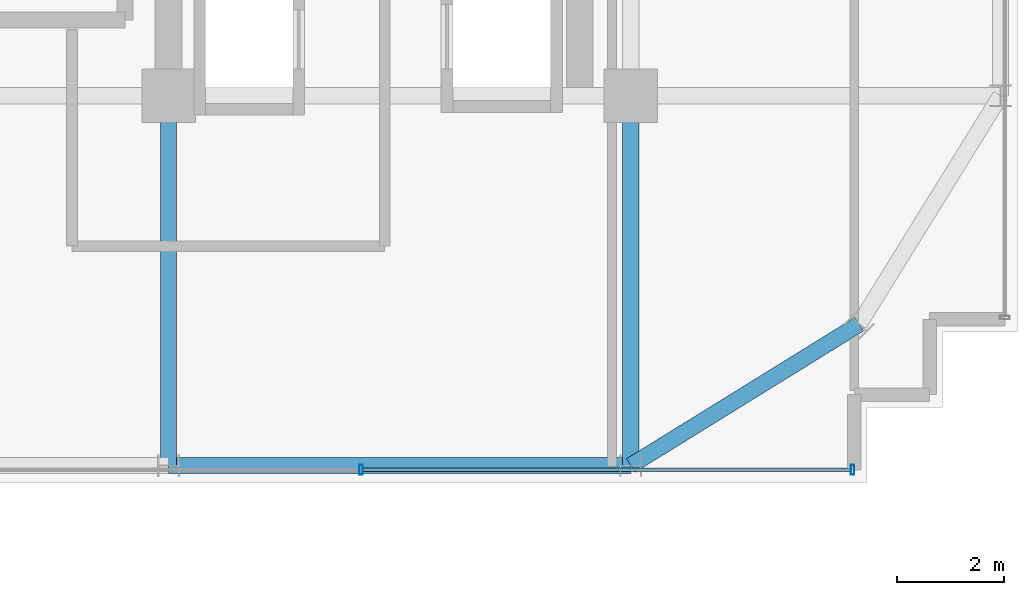
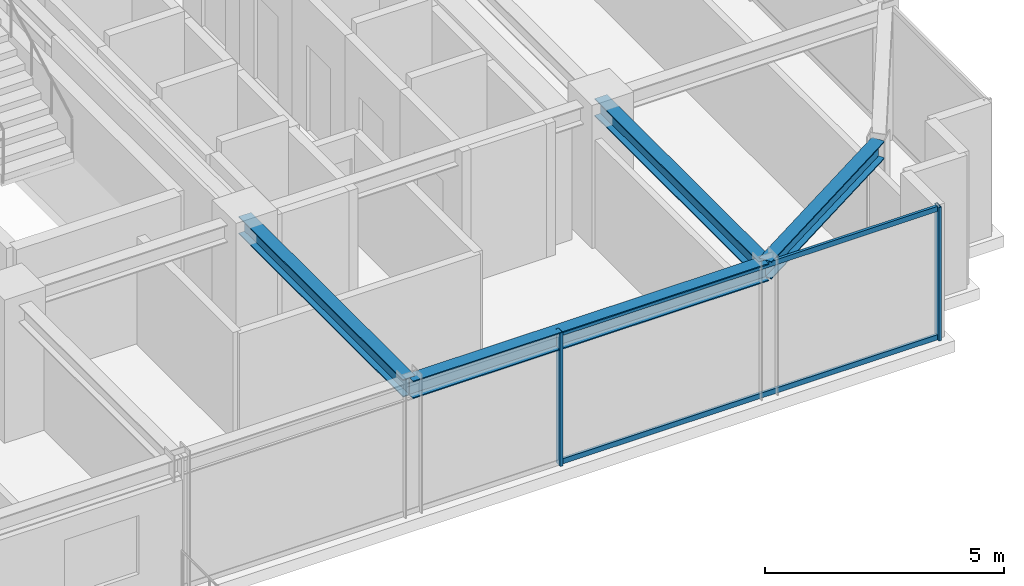
# One storey, part 12 of 36: 4 beams, 4 members, 1 element without a shape of its own.
"""IFC4 building model written with IfcOpenShell, lengths in metres."""

from ifc_helpers import new_model, si_unit, direction, frame, origin, origin_2d, place, context, subcontext, project, spatial, hollow_rectangle, i_section, extrude, source, transform, mapped, material, material_profile, profile_set, type_object, element, aggregate, save


model = new_model("IFC4")

# Units and contexts
model_context = context("Model", 3, precision=1e-05, world=origin(), true_north=direction((0.0, 1.0)))
body_context = subcontext(model_context, "Body", "Model", "MODEL_VIEW")
ifc_project = project(units=[si_unit("LENGTHUNIT", "METRE"), si_unit("AREAUNIT", "SQUARE_METRE"), si_unit("VOLUMEUNIT", "CUBIC_METRE"), si_unit("PLANEANGLEUNIT", "RADIAN"), si_unit("MASSUNIT", "GRAM", prefix="KILO")], contexts=[model_context])

# Site, building, storey
site_placement = place(None, origin())
site = spatial("IfcSite", under=ifc_project, at=site_placement, CompositionType="ELEMENT")
building_placement = place(site_placement, origin())
building = spatial("IfcBuilding", under=site, at=building_placement, Name="Nahalor Promenade Grand Hotel", CompositionType="ELEMENT")
storey_placement = place(building_placement, frame((0.0, 0.0, 253.0)))
storey = spatial("IfcBuildingStorey", under=building, at=storey_placement, Name="L65", CompositionType="ELEMENT", Elevation=253.0)

# Beams
ifc_material_1 = material(Name="Steel S355JR", Category="steel")
ifc_material_profile_1 = material_profile(ifc_material_1, i_section(OverallWidth=0.3, OverallDepth=0.45, WebThickness=0.014, FlangeThickness=0.026, at=origin_2d()), Name="HEB 450")
ifc_profile_set_1 = profile_set([ifc_material_profile_1], Name="Steel S355JR")
beam_type_1 = type_object("IfcBeamType", Name="Beam-Spandrel-HEB450", PredefinedType="SPANDREL", material=ifc_profile_set_1)
shared_shape_1 = source(origin(), body_context, "Body", "SweptSolid", [
    extrude(i_section(OverallWidth=0.3, OverallDepth=0.45, WebThickness=0.014, FlangeThickness=0.026, at=origin_2d()), origin(), (0.0, 0.0, 1.0), 8.60009765625),
])
beam_1_placement = place(storey_placement, frame((8.39990234375, -23.8798828125, 3.18505859375), z_axis=(1.0, 0.0, 0.0), x_axis=(0.0, 1.0, 0.0)))
element("IfcBeam", 1, at=beam_1_placement, inside=storey, type_object=beam_type_1, Name="BM-L65-SP-S-4", PredefinedType="SPANDREL", context=body_context, shape_type="MappedRepresentation", body=[
    mapped(shared_shape_1, transform((0.0, 0.0, 0.0), scale=1.0)),
])
shared_shape_2 = source(origin(), body_context, "Body", "SweptSolid", [
    extrude(i_section(OverallWidth=0.3, OverallDepth=0.45, WebThickness=0.014, FlangeThickness=0.026, at=origin_2d()), origin(), (0.0, 0.0, 1.0), 4.997802734375),
])
beam_2_placement = place(storey_placement, frame((17.0, -23.8798828125, 3.18505859375), z_axis=(0.850360908404, 0.526199891161, 0.0), x_axis=(-0.526199891161, 0.850360908404, 0.0)))
element("IfcBeam", 2, at=beam_2_placement, inside=storey, type_object=beam_type_1, Name="BM-L65-SPC-SE-1", PredefinedType="SPANDREL", context=body_context, shape_type="MappedRepresentation", body=[
    mapped(shared_shape_2, transform((0.0, 0.0, 0.0), scale=1.0)),
])
ifc_material_profile_2 = material_profile(ifc_material_1, i_section(OverallWidth=0.3, OverallDepth=0.45, WebThickness=0.014, FlangeThickness=0.026, at=origin_2d()), Name="HEB 450")
ifc_profile_set_2 = profile_set([ifc_material_profile_2], Name="Steel S355JR")
beam_type_2 = type_object("IfcBeamType", Name="Beam-Girder-HEB450", PredefinedType="BEAM", material=ifc_profile_set_2)
shared_shape_3 = source(origin(), body_context, "Body", "SweptSolid", [
    extrude(i_section(OverallWidth=0.3, OverallDepth=0.45, WebThickness=0.014, FlangeThickness=0.026, at=origin_2d()), origin(), (0.0, 0.0, 1.0), 6.8798828125),
])
for number, where, z_axis, x_axis, name in (
    (3, (8.39990234375, -23.8798828125, 3.18505859375), (0.0, 1.0, 0.0), (-1.0, 0.0, 0.0), "BM-L65-GY-4-0"),
    (4, (17.0, -23.8798828125, 3.18505859375), (0.0, 1.0, 0.0), (-1.0, 0.0, 0.0), "BM-L65-GY-5-0"),
):
    element("IfcBeam", number, at=place(storey_placement, frame(where, z_axis=z_axis, x_axis=x_axis)), inside=storey, type_object=beam_type_2, Name=name, PredefinedType="BEAM", context=body_context, shape_type="MappedRepresentation", body=[
        mapped(shared_shape_3, transform((0.0, 0.0, 0.0), scale=1.0)),
    ])

# Curtain wall, members
ifc_material_2 = material(Name="Anodised Bronze Aluminium EN AW-6063 T6", Category="aluminium")
curtain_wall_type = type_object("IfcCurtainWallType", Name="CW2 Typical Hotel Flush Bronze Unitised Curtain Wall", PredefinedType="USERDEFINED", material=ifc_material_2)
curtain_wall_placement = place(storey_placement, origin())
curtain_wall = element("IfcCurtainWall", 5, at=curtain_wall_placement, inside=storey, type_object=curtain_wall_type, Name="L65 Curtain Wall CW-L65-S-3", ObjectType="UNITISED_CURTAIN_WALL", PredefinedType="USERDEFINED")
ifc_material_profile_3 = material_profile(ifc_material_2, hollow_rectangle(XDim=0.065, YDim=0.13, WallThickness=0.004, at=origin_2d()), Name="CWT 65x130x4")
ifc_profile_set_3 = profile_set([ifc_material_profile_3], Name="Anodised Bronze Aluminium EN AW-6063 T6")
member_type_1 = type_object("IfcMemberType", Name="CWT2 Typical Bronze Transom 65x130", PredefinedType="USERDEFINED", material=ifc_profile_set_3)
shared_shape_4 = source(origin(), body_context, "Body", "SweptSolid", [
    extrude(hollow_rectangle(XDim=0.065, YDim=0.13, WallThickness=0.004, at=origin_2d()), origin(), (0.0, 0.0, 1.0), 9.08251953125),
])
member_1_placement = place(storey_placement, frame((12.012451171875, -23.9599609375, 0.06494140625), z_axis=(1.0, 0.0, 0.0), x_axis=(0.0, 1.0, 0.0)))
member_1 = element("IfcMember", 6, at=member_1_placement, type_object=member_type_1, Name="CW-L65-S-3 Transom 1-0", ObjectType="TRANSOM", PredefinedType="USERDEFINED", context=body_context, shape_type="MappedRepresentation", body=[
    mapped(shared_shape_4, transform((0.0, 0.0, 0.0), scale=1.0)),
])
member_2_placement = place(storey_placement, frame((12.012451171875, -23.9599609375, 3.344970703125), z_axis=(1.0, 0.0, 0.0), x_axis=(0.0, 1.0, 0.0)))
member_2 = element("IfcMember", 7, at=member_2_placement, type_object=member_type_1, Name="CW-L65-S-3 Transom 1-1", ObjectType="TRANSOM", PredefinedType="USERDEFINED", context=body_context, shape_type="MappedRepresentation", body=[
    mapped(shared_shape_4, transform((0.0, 0.0, 0.0), scale=1.0)),
])
ifc_material_profile_4 = material_profile(ifc_material_2, hollow_rectangle(XDim=0.065, YDim=0.18, WallThickness=0.004, at=origin_2d()), Name="CWM 65x180x4")
ifc_profile_set_4 = profile_set([ifc_material_profile_4], Name="Anodised Bronze Aluminium EN AW-6063 T6")
member_type_2 = type_object("IfcMemberType", Name="CWM2 Typical Bronze Mullion 65x180", PredefinedType="MULLION", material=ifc_profile_set_4)
shared_shape_5 = source(origin(), body_context, "Body", "SweptSolid", [
    extrude(hollow_rectangle(XDim=0.065, YDim=0.18, WallThickness=0.004, at=origin_2d()), origin(), (0.0, 0.0, 1.0), 3.409912109375),
])
member_3_placement = place(storey_placement, frame((11.97998046875, -23.9599609375, 0.0), z_axis=(0.0, 0.0, 1.0), x_axis=(1.0, 0.0, 0.0)))
member_3 = element("IfcMember", 8, at=member_3_placement, type_object=member_type_2, Name="CW-L65-S-3 Mullion 1", PredefinedType="MULLION", context=body_context, shape_type="MappedRepresentation", body=[
    mapped(shared_shape_5, transform((0.0, 0.0, 0.0), scale=1.0)),
])
member_4_placement = place(storey_placement, frame((21.12744140625, -23.9599609375, 0.0), z_axis=(0.0, 0.0, 1.0), x_axis=(1.0, 0.0, 0.0)))
member_4 = element("IfcMember", 9, at=member_4_placement, type_object=member_type_2, Name="CW-L65-S-3 Mullion 2", PredefinedType="MULLION", context=body_context, shape_type="MappedRepresentation", body=[
    mapped(shared_shape_5, transform((0.0, 0.0, 0.0), scale=1.0)),
])
aggregate(curtain_wall, [member_3, member_4, member_1, member_2])

save(model, "model.ifc")
